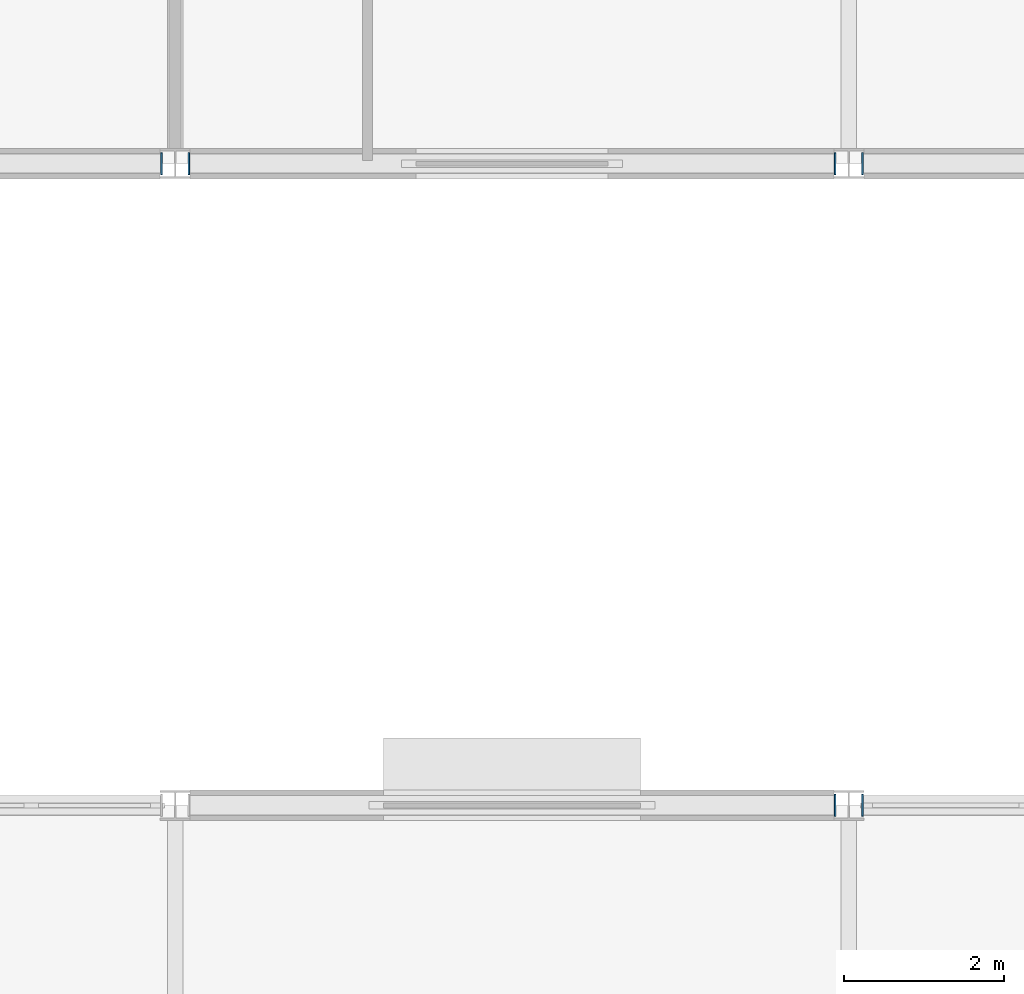
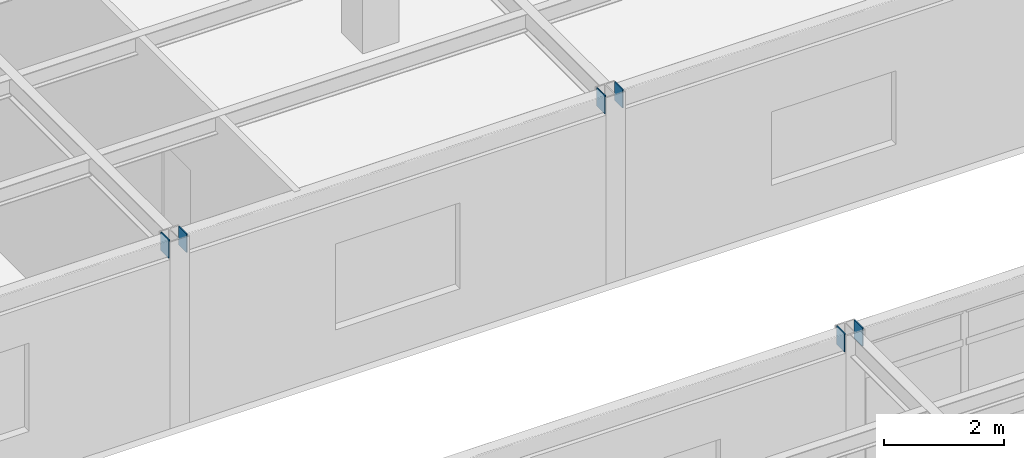
# One storey, part 88 of 138: 6 discrete accessories.
"""IFC4 building model written with IfcOpenShell, lengths in metres."""

from ifc_helpers import new_model, si_unit, direction, frame, origin, origin_2d, place, context, subcontext, project, spatial, rectangle, extrude, material, layer, layer_set, type_object, element, save


model = new_model("IFC4")

# Units and contexts
model_context = context("Model", 3, precision=1e-05, world=origin(), true_north=direction((0.0, 1.0)))
body_context = subcontext(model_context, "Body", "Model", "MODEL_VIEW")
ifc_project = project(units=[si_unit("LENGTHUNIT", "METRE"), si_unit("AREAUNIT", "SQUARE_METRE"), si_unit("VOLUMEUNIT", "CUBIC_METRE"), si_unit("PLANEANGLEUNIT", "RADIAN"), si_unit("MASSUNIT", "GRAM", prefix="KILO")], contexts=[model_context])

# Site, building, storey
site_placement = place(None, origin())
site = spatial("IfcSite", under=ifc_project, at=site_placement, CompositionType="ELEMENT")
building_placement = place(site_placement, origin())
building = spatial("IfcBuilding", under=site, at=building_placement, Name="Kranzveld Transit Interchange", CompositionType="ELEMENT")
storey_placement = place(building_placement, frame((0.0, 0.0, 5.43994140625)))
storey = spatial("IfcBuildingStorey", under=building, at=storey_placement, Name="L01", CompositionType="ELEMENT", Elevation=5.43994140625)

# Discrete accessories
ifc_material = material(Name="Steel S355JR", Category="steel")
ifc_layer = layer(ifc_material, 0.02001953125)
ifc_layer_set = layer_set([ifc_layer], Name="Steel S355JR")
discrete_accessory_type = type_object("IfcDiscreteAccessoryType", Name="Hollow Section End Cap Bracket 20 S355JR", PredefinedType="BRACKET", material=ifc_layer_set)
for number, where, z_axis, x_axis, name in (
    (1, (25.018798828125, 40.0, 3.625), (1.0, 0.0, 0.0), (0.0, 1.0, 0.0), "Hollow Section End Cap SP-RHS350-2"),
    (2, (25.38134765625, 40.0, 3.625), (-1.0, 0.0, 0.0), (0.0, -1.0, 0.0), "Hollow Section End Cap SP-RHS350-1"),
    (3, (16.61865234375, 48.0, 3.625), (1.0, 0.0, 0.0), (0.0, 1.0, 0.0), "Hollow Section End Cap SP-RHS350-2"),
    (4, (16.981201171875, 48.0, 3.625), (-1.0, 0.0, 0.0), (0.0, -1.0, 0.0), "Hollow Section End Cap SP-RHS350-1"),
    (5, (25.018798828125, 48.0, 3.625), (1.0, 0.0, 0.0), (0.0, 1.0, 0.0), "Hollow Section End Cap SP-RHS350-2"),
    (6, (25.38134765625, 48.0, 3.625), (-1.0, 0.0, 0.0), (0.0, -1.0, 0.0), "Hollow Section End Cap SP-RHS350-1"),
):
    element("IfcDiscreteAccessory", number, at=place(storey_placement, frame(where, z_axis=z_axis, x_axis=x_axis)), inside=storey, type_object=discrete_accessory_type, Name=name, PredefinedType="BRACKET", context=body_context, shape_type="SweptSolid", body=[
        extrude(rectangle(XDim=0.27392578125, YDim=0.3740234375, at=origin_2d()), origin(), (0.0, 0.0, 1.0), 0.02001953125),
    ])

save(model, "model.ifc")
